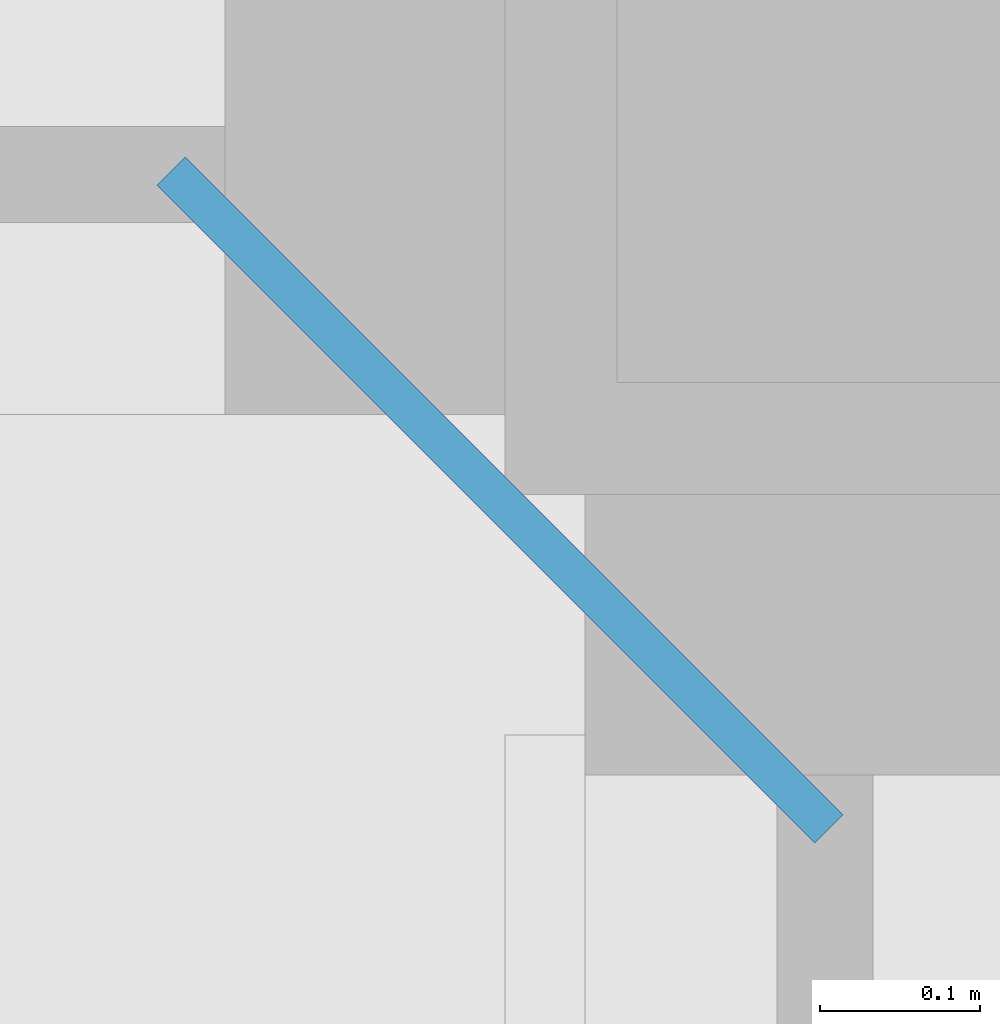
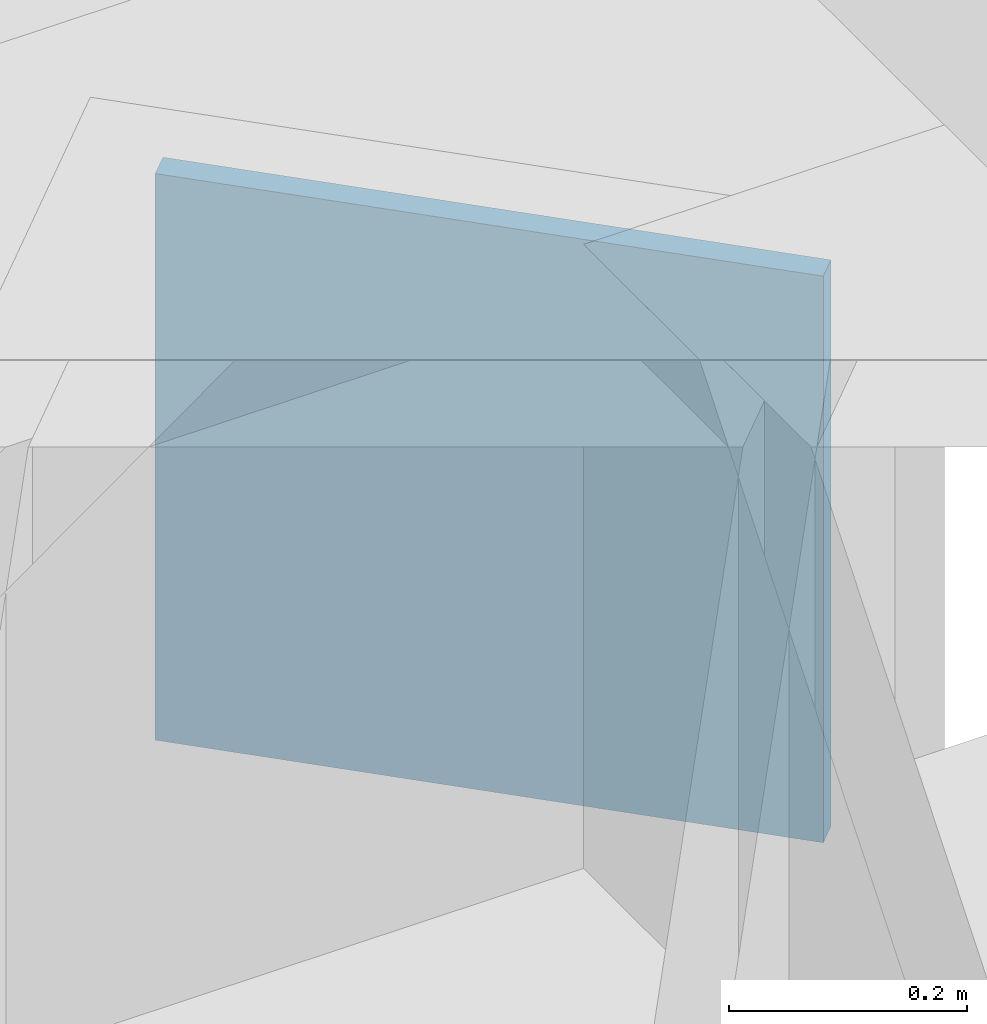
# One storey, part 6 of 15: 1 plate.
"""IFC4 building model written with IfcOpenShell, lengths in metres."""

from ifc_helpers import new_model, si_unit, direction, frame, origin, origin_2d, place, context, subcontext, project, spatial, rectangle, extrude, material, layer, layer_set, type_object, element, save


model = new_model("IFC4")

# Units and contexts
model_context = context("Model", 3, precision=1e-05, world=origin(), true_north=direction((0.0, 1.0)))
body_context = subcontext(model_context, "Body", "Model", "MODEL_VIEW")
ifc_project = project(units=[si_unit("LENGTHUNIT", "METRE"), si_unit("AREAUNIT", "SQUARE_METRE"), si_unit("VOLUMEUNIT", "CUBIC_METRE"), si_unit("PLANEANGLEUNIT", "RADIAN"), si_unit("MASSUNIT", "GRAM", prefix="KILO")], contexts=[model_context])

# Site, building, storey
site_placement = place(None, origin())
site = spatial("IfcSite", under=ifc_project, at=site_placement, CompositionType="ELEMENT")
building_placement = place(site_placement, origin())
building = spatial("IfcBuilding", under=site, at=building_placement, Name="Kopane Lantern Tower", CompositionType="ELEMENT")
storey_placement = place(building_placement, frame((0.0, 0.0, 242.39990234375)))
storey = spatial("IfcBuildingStorey", under=building, at=storey_placement, Name="L62", CompositionType="ELEMENT", Elevation=242.39990234375)

# Plate
ifc_material = material(Name="Steel S355JR", Category="steel")
ifc_layer = layer(ifc_material, 0.02490234375)
ifc_layer_set = layer_set([ifc_layer], Name="STEEL END CAP PLATE PL25")
plate_type = type_object("IfcPlateType", Name="STEEL END CAP PLATE PL25", PredefinedType="USERDEFINED", material=ifc_layer_set)
plate_placement = place(storey_placement, frame((52.296875, 60.396728515625, -0.890380859375), z_axis=(0.0, 0.0, 1.0), x_axis=(0.707106781187, 0.707106781187, 0.0)))
element("IfcPlate", 1, at=plate_placement, inside=storey, type_object=plate_type, Name="Corner tie beam end cap plate L62", ObjectType="PLATE", PredefinedType="USERDEFINED", context=body_context, shape_type="SweptSolid", body=[
    extrude(rectangle(XDim=0.02490234375, YDim=0.5810546875, at=origin_2d()), origin(), (0.0, 0.0, 1.0), 0.5810546875),
])

save(model, "model.ifc")
